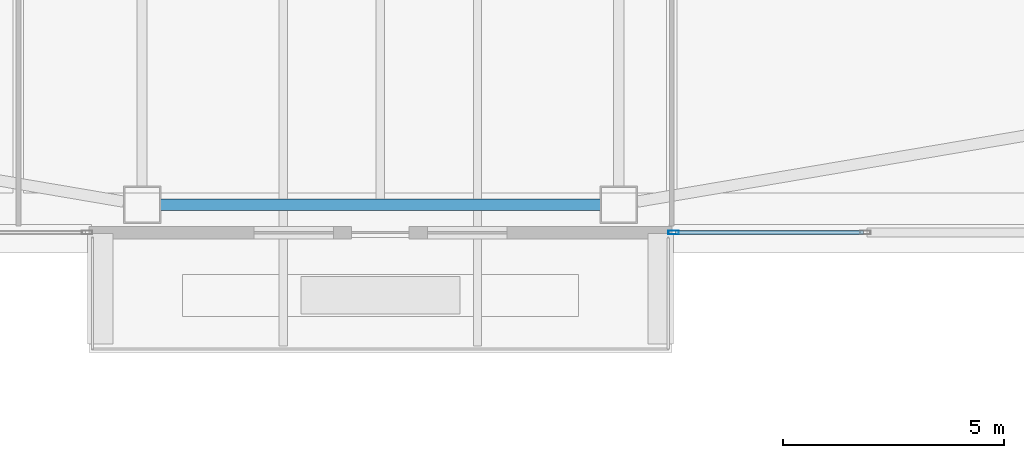
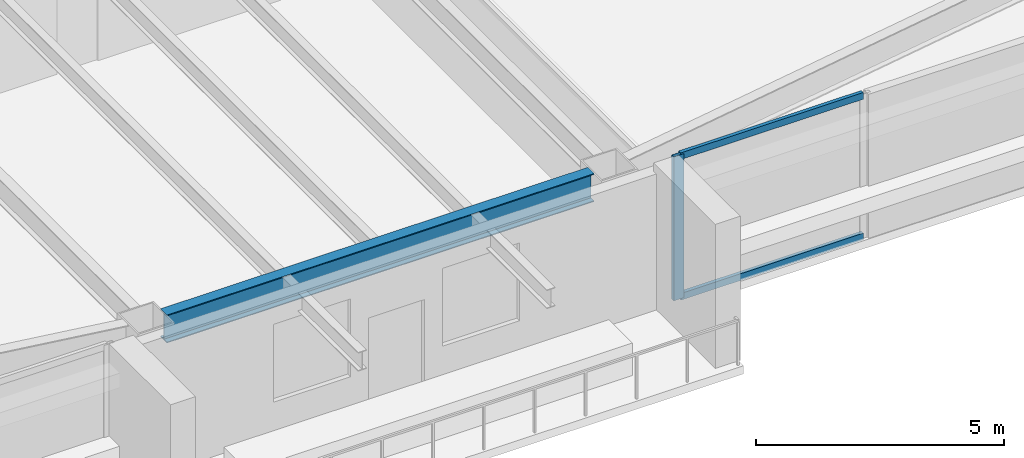
# One storey, part 5 of 48: 3 members, 1 beam, 1 element without a shape of its own.
"""IFC4 building model written with IfcOpenShell, lengths in metres."""

import ifcopenshell
import ifcopenshell.guid

model = None  # the IFC model being written
_history = None  # IfcOwnerHistory: only IFC2X3 demands one
_inside = {}  # id of a spatial element -> (the spatial element, [elements in it])
_under = {}  # id of a project, library or spatial element -> (it, [spatial elements below it])
_declared = {}  # id of a project -> (the project, [libraries it declares])
_typed = {}  # id of a type object -> (the type object, [elements of that type])
_made_of = {}  # id of a material, layer set ... -> (it, [elements and type objects made of it])


def new_model(schema):
    """Start an empty IFC model of exactly this schema.

    Asked for "IFC4X3", IfcOpenShell would pick the latest addendum, in which some entities
    have other attributes; the version numbers below select the first issue.
    IFC2X3 requires an IfcOwnerHistory on every rooted entity: one is made here for all.
    """
    global model, _history
    if schema == "IFC4X3":
        model = ifcopenshell.file(schema_version=(4, 3, 0, 0))
    else:
        model = ifcopenshell.file(schema=schema)
    _inside.clear()
    _under.clear()
    _declared.clear()
    _typed.clear()
    _made_of.clear()
    _history = None
    if model.schema == "IFC2X3":
        org = make("IfcOrganization", Name="unknown")
        user = make(
            "IfcPersonAndOrganization",
            ThePerson=make("IfcPerson", FamilyName="unknown"),
            TheOrganization=org,
        )
        app = make(
            "IfcApplication",
            ApplicationDeveloper=org,
            Version="unknown",
            ApplicationFullName="unknown",
            ApplicationIdentifier="unknown",
        )
        _history = make(
            "IfcOwnerHistory",
            OwningUser=user,
            OwningApplication=app,
            ChangeAction="ADDED",
            CreationDate=0,
        )
    return model


def make(cls, **values):
    """One entity of the class cls with the attributes given. An attribute that is None is left unset."""
    return model.create_entity(
        cls, **{name: value for name, value in values.items() if value is not None}
    )


def rooted(cls, **values):
    """An entity with a GlobalId (a new one), such as an element, a storey or a relation."""
    return make(cls, GlobalId=ifcopenshell.guid.new(), OwnerHistory=_history, **values)


def si_unit(unit_type, name, prefix=None):
    """IfcSIUnit, for example si_unit("LENGTHUNIT", "METRE", prefix="MILLI")."""
    return make("IfcSIUnit", UnitType=unit_type, Prefix=prefix, Name=name)


def assignment(units):
    """IfcUnitAssignment: the units of a project."""
    return None if units is None else make("IfcUnitAssignment", Units=units)


def point(xyz):
    """IfcCartesianPoint."""
    return None if xyz is None else make("IfcCartesianPoint", Coordinates=xyz)


def direction(xyz):
    """IfcDirection."""
    return None if xyz is None else make("IfcDirection", DirectionRatios=xyz)


def frame(location, z_axis=None, x_axis=None):
    """IfcAxis2Placement3D, a coordinate frame: its origin and axes. An axis left out is left unset."""
    return make(
        "IfcAxis2Placement3D",
        Location=point(location),
        Axis=direction(z_axis),
        RefDirection=direction(x_axis),
    )


def frame_2d(location, x_axis=None):
    """IfcAxis2Placement2D, a coordinate frame in the plane: its origin and x axis."""
    return make(
        "IfcAxis2Placement2D", Location=point(location), RefDirection=direction(x_axis)
    )


def origin():
    """The frame at (0, 0, 0) with its axes left unset."""
    return frame((0.0, 0.0, 0.0))


def origin_2d():
    """The frame at (0, 0) in the plane with its x axis left unset."""
    return frame_2d((0.0, 0.0))


def place(relative_to, where):
    """IfcLocalPlacement: puts the frame where relative to a parent placement (None: the world)."""
    return make(
        "IfcLocalPlacement", PlacementRelTo=relative_to, RelativePlacement=where
    )


def context(
    kind, dimensions, precision=None, world=None, true_north=None, identifier=None
):
    """IfcGeometricRepresentationContext, for example the 3D "Model" context."""
    return make(
        "IfcGeometricRepresentationContext",
        ContextIdentifier=identifier,
        ContextType=kind,
        CoordinateSpaceDimension=dimensions,
        Precision=precision,
        WorldCoordinateSystem=world,
        TrueNorth=true_north,
    )


def subcontext(parent, identifier, kind, view, scale=None):
    """IfcGeometricRepresentationSubContext, for example "Body" below "Model"."""
    return make(
        "IfcGeometricRepresentationSubContext",
        ContextIdentifier=identifier,
        ContextType=kind,
        ParentContext=parent,
        TargetScale=scale,
        TargetView=view,
    )


def project(units=None, contexts=None):
    """IfcProject with its units and contexts."""
    return rooted(
        "IfcProject",
        Name="project",
        RepresentationContexts=contexts,
        UnitsInContext=assignment(units),
    )


def spatial(cls, under=None, at=None, **own):
    """A site, building, storey or space (cls), placed at a placement, below another one or the project."""
    s = rooted(cls, ObjectPlacement=at, **own)
    if under is not None:
        _under.setdefault(under.id(), (under, []))[1].append(s)
    return s


def profile(cls, at=None, kind="AREA", **sizes):
    """A parametric profile (cls). Its sizes go by their IFC names, for example OverallWidth=200.0."""
    return make(cls, ProfileType=kind, Position=at, **sizes)


def hollow_rectangle(**sizes):
    """IfcRectangleHollowProfileDef."""
    return profile("IfcRectangleHollowProfileDef", **sizes)


def i_section(**sizes):
    """IfcIShapeProfileDef."""
    return profile("IfcIShapeProfileDef", **sizes)


def extrude(swept, where, along, depth):
    """IfcExtrudedAreaSolid: the profile swept, set in the frame where, extruded along a direction by depth."""
    return make(
        "IfcExtrudedAreaSolid",
        SweptArea=swept,
        Position=where,
        ExtrudedDirection=direction(along),
        Depth=depth,
    )


def shape(context_of_items, identifier, shape_type, items):
    """IfcShapeRepresentation: the items that make up one representation, for example the "Body"."""
    return make(
        "IfcShapeRepresentation",
        ContextOfItems=context_of_items,
        RepresentationIdentifier=identifier,
        RepresentationType=shape_type,
        Items=items,
    )


def material(Name=None, Category=None):
    """IfcMaterial."""
    return make("IfcMaterial", Name=Name, Category=Category)


def material_profile(
    of_material, cross_section, Name=None, Category=None, Priority=None
):
    """IfcMaterialProfile: a cross section and its material."""
    return make(
        "IfcMaterialProfile",
        Name=Name,
        Material=of_material,
        Profile=cross_section,
        Priority=Priority,
        Category=Category,
    )


def profile_set(profiles, Name=None, composite=None):
    """IfcMaterialProfileSet."""
    return make(
        "IfcMaterialProfileSet",
        Name=Name,
        MaterialProfiles=profiles,
        CompositeProfile=composite,
    )


def made_of(thing, what):
    """Note that an element or type object is made of a material, layer set ...; save() writes the relation."""
    if what is not None:
        _made_of.setdefault(what.id(), (what, []))[1].append(thing)
    return thing


def type_object(cls, material=None, **own):
    """A type object (cls), such as IfcWallType, which elements share."""
    return made_of(rooted(cls, **own), material)


def element(
    cls,
    number,
    at=None,
    inside=None,
    cuts=None,
    type_object=None,
    material=None,
    context=None,
    identifier="Body",
    shape_type=None,
    held_by="IfcProductDefinitionShape",
    body=None,
    shapes=None,
    **own,
):
    """One element of the class cls, such as IfcWall. Its Tag is "e" and its number.

    at: its placement. inside: the storey or other place that contains it. cuts: it is an
    opening in that element (IfcRelVoidsElement). A single representation is given by context,
    identifier, shape_type and body (its items); several are given by shapes. held_by: the class
    of the entity that holds the representations. save() writes the other relations.
    """
    e = rooted(cls, Tag="e%d" % number, ObjectPlacement=at, **own)
    if body is not None:
        shapes = [shape(context, identifier, shape_type, body)]
    if shapes is not None:
        e.Representation = make(held_by, Representations=shapes)
    if inside is not None:
        _inside.setdefault(inside.id(), (inside, []))[1].append(e)
    if cuts is not None:
        rooted(
            "IfcRelVoidsElement", RelatingBuildingElement=cuts, RelatedOpeningElement=e
        )
    if type_object is not None:
        _typed.setdefault(type_object.id(), (type_object, []))[1].append(e)
    return made_of(e, material)


def aggregate(whole, parts):
    """IfcRelAggregates: a whole, such as a stair, and the parts it consists of."""
    return rooted("IfcRelAggregates", RelatingObject=whole, RelatedObjects=parts)


def save(model, path):
    """Write the relations noted so far, then the file.

    IfcRelAggregates (storeys below a building ...), IfcRelContainedInSpatialStructure (elements
    in a storey), IfcRelDefinesByType, IfcRelAssociatesMaterial and IfcRelDeclares: one each for
    every whole, place, type object, material and project.
    """
    for whole, parts in _under.values():
        aggregate(whole, parts)
    for where, things in _inside.values():
        rooted(
            "IfcRelContainedInSpatialStructure",
            RelatedElements=things,
            RelatingStructure=where,
        )
    for kind, things in _typed.values():
        rooted("IfcRelDefinesByType", RelatedObjects=things, RelatingType=kind)
    for what, things in _made_of.values():
        rooted("IfcRelAssociatesMaterial", RelatedObjects=things, RelatingMaterial=what)
    for by, libraries in _declared.values():
        rooted("IfcRelDeclares", RelatingContext=by, RelatedDefinitions=libraries)
    model.write(path)


model = new_model("IFC4")

# Units and contexts
model_context = context("Model", 3, precision=1e-05, world=origin(), true_north=direction((0.0, 1.0)))
body_context = subcontext(model_context, "Body", "Model", "MODEL_VIEW")
ifc_project = project(units=[si_unit("LENGTHUNIT", "METRE"), si_unit("AREAUNIT", "SQUARE_METRE"), si_unit("VOLUMEUNIT", "CUBIC_METRE"), si_unit("PLANEANGLEUNIT", "RADIAN"), si_unit("MASSUNIT", "GRAM", prefix="KILO")], contexts=[model_context])

# Site, building, storey
site_placement = place(None, origin())
site = spatial("IfcSite", under=ifc_project, at=site_placement, CompositionType="ELEMENT")
building_placement = place(site_placement, origin())
building = spatial("IfcBuilding", under=site, at=building_placement, Name="Tashvorn Skyway Center", CompositionType="ELEMENT")
storey_placement = place(building_placement, frame((0.0, 0.0, 56.550048828125)))
storey = spatial("IfcBuildingStorey", under=building, at=storey_placement, Name="L14", CompositionType="ELEMENT", Elevation=56.550048828125)

# Beam
ifc_material_1 = material(Name="Steel ASTM A992 Grade 50", Category="steel")
ifc_material_profile_1 = material_profile(ifc_material_1, i_section(OverallWidth=0.256103515625, OverallDepth=0.693115234375, WebThickness=0.014404296875, FlangeThickness=0.023681640625, at=origin_2d()), Name="W27X114")
ifc_profile_set_1 = profile_set([ifc_material_profile_1], Name="Steel ASTM A992 Grade 50")
beam_type = type_object("IfcBeamType", Name="BM-SPANDREL-W27X114", PredefinedType="SPANDREL", material=ifc_profile_set_1)
beam_placement = place(storey_placement, frame((37.02001953125, 9.75, 3.00341796875), z_axis=(1.0, 0.0, 0.0), x_axis=(0.0, 1.0, 0.0)))
element("IfcBeam", 1, at=beam_placement, inside=storey, type_object=beam_type, Name="Tower 1 L14 Spandrel Beam 02", PredefinedType="SPANDREL", context=body_context, shape_type="SweptSolid", body=[
    extrude(i_section(OverallWidth=0.256103515625, OverallDepth=0.693115234375, WebThickness=0.014404296875, FlangeThickness=0.023681640625, at=origin_2d()), origin(), (0.0, 0.0, 1.0), 9.9599609375),
])

# Curtain wall, members
ifc_material_2 = material(Name="Thermally broken bronze-anodized aluminium 6063-T6", Category="aluminium")
curtain_wall_type = type_object("IfcCurtainWallType", Name="CW-CW-Z1", PredefinedType="NOTDEFINED", material=ifc_material_2)
curtain_wall_placement = place(storey_placement, origin())
curtain_wall = element("IfcCurtainWall", 2, at=curtain_wall_placement, inside=storey, type_object=curtain_wall_type, Name="Tower 1 L14 South Curtain Wall L Glazing Group 1", PredefinedType="NOTDEFINED")
ifc_material_profile_2 = material_profile(ifc_material_2, hollow_rectangle(XDim=0.0849609375, YDim=0.239990234375, WallThickness=0.0048828125, at=origin_2d()), Name="ALU-MULL-85x240")
ifc_profile_set_2 = profile_set([ifc_material_profile_2], Name="Thermally broken bronze-anodized aluminium 6063-T6")
member_type_1 = type_object("IfcMemberType", Name="CWM-CW-Z1", PredefinedType="MULLION", material=ifc_profile_set_2)
member_1_placement = place(storey_placement, frame((48.642578125, 9.1201171875, 0.0), z_axis=(0.0, 0.0, 1.0), x_axis=(0.0, -1.0, 0.0)))
member_1 = element("IfcMember", 3, at=member_1_placement, type_object=member_type_1, Name="CW-Z1 mullion 2", PredefinedType="MULLION", context=body_context, shape_type="SweptSolid", body=[
    extrude(hollow_rectangle(XDim=0.0849609375, YDim=0.239990234375, WallThickness=0.0048828125, at=origin_2d()), origin(), (0.0, 0.0, 1.0), 3.550048828125),
])
ifc_material_profile_3 = material_profile(ifc_material_2, hollow_rectangle(XDim=0.0849609375, YDim=0.1650390625, WallThickness=0.0048828125, at=origin_2d()), Name="ALU-TRAN-85x165")
ifc_profile_set_3 = profile_set([ifc_material_profile_3], Name="Thermally broken bronze-anodized aluminium 6063-T6")
member_type_2 = type_object("IfcMemberType", Name="CWT-CW-Z1", PredefinedType="USERDEFINED", material=ifc_profile_set_3)
member_2_placement = place(storey_placement, frame((52.941650390625, 9.1201171875, 0.04248046875), z_axis=(-1.0, 0.0, 0.0), x_axis=(0.0, -1.0, 0.0)))
member_2 = element("IfcMember", 4, at=member_2_placement, type_object=member_type_2, Name="CW-Z1 transom 1.1", ObjectType="TRANSOM", PredefinedType="USERDEFINED", context=body_context, shape_type="SweptSolid", body=[
    extrude(hollow_rectangle(XDim=0.0849609375, YDim=0.1650390625, WallThickness=0.0048828125, at=origin_2d()), origin(), (0.0, 0.0, 1.0), 4.256591796875),
])
member_3_placement = place(storey_placement, frame((52.941650390625, 9.1201171875, 3.507568359375), z_axis=(-1.0, 0.0, 0.0), x_axis=(0.0, -1.0, 0.0)))
member_3 = element("IfcMember", 5, at=member_3_placement, type_object=member_type_2, Name="CW-Z1 transom 1.2", ObjectType="TRANSOM", PredefinedType="USERDEFINED", context=body_context, shape_type="SweptSolid", body=[
    extrude(hollow_rectangle(XDim=0.0849609375, YDim=0.1650390625, WallThickness=0.0048828125, at=origin_2d()), origin(), (0.0, 0.0, 1.0), 4.256591796875),
])
aggregate(curtain_wall, [member_1, member_2, member_3])

save(model, "model.ifc")
